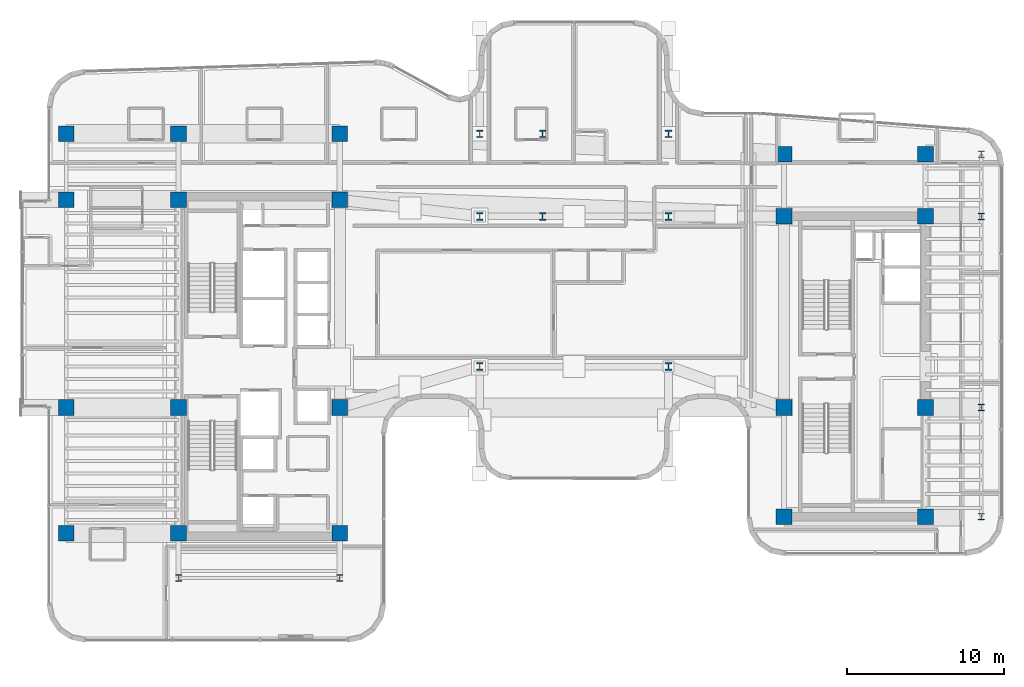
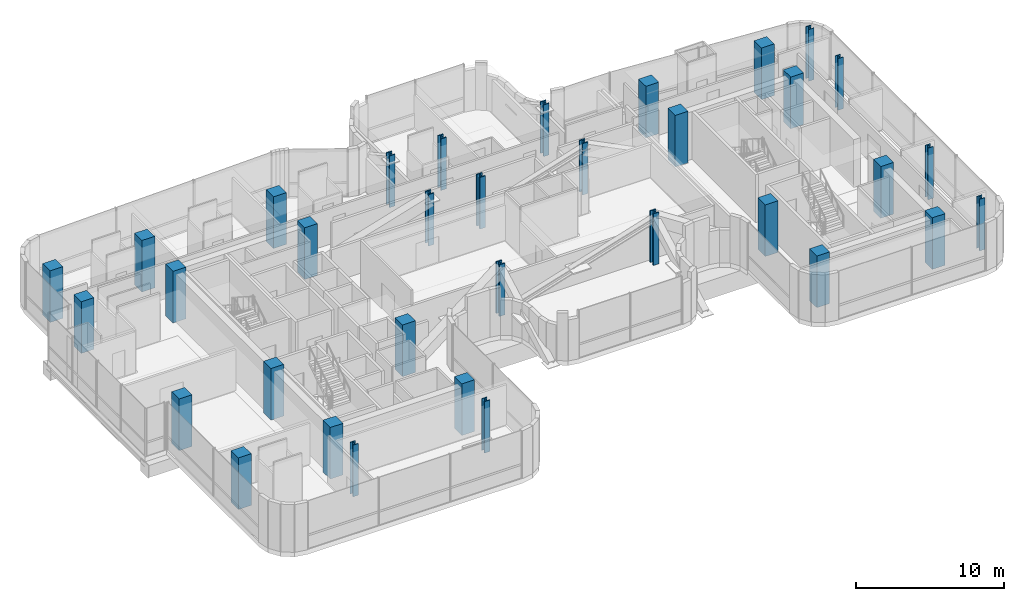
# One storey, part 1 of 37: 34 columns.
"""IFC4 building model written with IfcOpenShell, lengths in metres."""

from ifc_helpers import new_model, si_unit, direction, frame, origin, origin_2d, place, context, subcontext, project, spatial, rectangle, i_section, extrude, source, transform, mapped, material, material_profile, profile_set, type_object, element, save


model = new_model("IFC4")

# Units and contexts
model_context = context("Model", 3, precision=1e-05, world=origin(), true_north=direction((0.0, 1.0)))
body_context = subcontext(model_context, "Body", "Model", "MODEL_VIEW")
ifc_project = project(units=[si_unit("LENGTHUNIT", "METRE"), si_unit("AREAUNIT", "SQUARE_METRE"), si_unit("VOLUMEUNIT", "CUBIC_METRE"), si_unit("PLANEANGLEUNIT", "RADIAN"), si_unit("MASSUNIT", "GRAM", prefix="KILO")], contexts=[model_context])

# Site, building, storey
site_placement = place(None, origin())
site = spatial("IfcSite", under=ifc_project, at=site_placement, CompositionType="ELEMENT")
building_placement = place(site_placement, origin())
building = spatial("IfcBuilding", under=site, at=building_placement, Name="Valdorenza Pilgrim Sanctuary Tower", CompositionType="ELEMENT")
storey_placement = place(building_placement, frame((0.0, 0.0, 172.300048828125)))
storey = spatial("IfcBuildingStorey", under=building, at=storey_placement, Name="L44", CompositionType="ELEMENT", Elevation=172.300048828125)

# Columns
ifc_material_1 = material(Name="Concrete C50/60", Category="concrete")
ifc_material_profile_1 = material_profile(ifc_material_1, rectangle(XDim=1.0, YDim=1.0, at=origin_2d()), Name="RC 1000x1000")
ifc_profile_set_1 = profile_set([ifc_material_profile_1], Name="Concrete C50/60")
column_type_1 = type_object("IfcColumnType", Name="COL-Z3-1000", PredefinedType="COLUMN", material=ifc_profile_set_1)
shared_shape_1 = source(origin(), body_context, "Body", "SweptSolid", [
    extrude(rectangle(XDim=1.0, YDim=1.0, at=origin_2d()), origin(), (0.0, 0.0, 1.0), 4.25),
])
for number, where, z_axis, x_axis, name in (
    (1, (-29.800048828125, -10.60009765625, 0.0), (0.0, 0.0, 1.0), (1.0, 0.0, 0.0), "L44 Perimeter Column WA-W-S1"),
    (2, (-22.64990234375, -10.60009765625, 0.0), (0.0, 0.0, 1.0), (1.0, 0.0, 0.0), "L44 Column CA-W-S1"),
    (3, (-12.39990234375, -10.60009765625, 0.0), (0.0, 0.0, 1.0), (1.0, 0.0, 0.0), "L44 Column CA-E-S1"),
    (4, (-29.800048828125, -2.60009765625, 0.0), (0.0, 0.0, 1.0), (1.0, 0.0, 0.0), "L44 Perimeter Column WA-W-M0"),
    (5, (-22.64990234375, -2.60009765625, 0.0), (0.0, 0.0, 1.0), (1.0, 0.0, 0.0), "L44 Column CA-W-M0"),
    (6, (-12.39990234375, -2.60009765625, 0.0), (0.0, 0.0, 1.0), (1.0, 0.0, 0.0), "L44 Column CA-E-M0"),
    (7, (-29.800048828125, 10.60009765625, 0.0), (0.0, 0.0, 1.0), (1.0, 0.0, 0.0), "L44 Perimeter Column WA-W-N1"),
    (8, (-22.64990234375, 10.60009765625, 0.0), (0.0, 0.0, 1.0), (1.0, 0.0, 0.0), "L44 Column CA-W-N1"),
    (9, (-12.39990234375, 10.60009765625, 0.0), (0.0, 0.0, 1.0), (1.0, 0.0, 0.0), "L44 Column CA-E-N1"),
    (10, (-29.800048828125, 14.800048828125, 0.0), (0.0, 0.0, 1.0), (1.0, 0.0, 0.0), "L44 Perimeter Column WA-W-N2"),
    (11, (-22.64990234375, 14.800048828125, 0.0), (0.0, 0.0, 1.0), (1.0, 0.0, 0.0), "L44 Column CA-W-N2"),
    (12, (-12.39990234375, 14.800048828125, 0.0), (0.0, 0.0, 1.0), (1.0, 0.0, 0.0), "L44 Column CA-E-N2"),
    (13, (15.85009765625, -9.550048828125, 0.0), (0.0, 0.0, 1.0), (1.0, 0.0, 0.0), "L44 Column CB-W-S1"),
    (14, (24.85009765625, -9.550048828125, 0.0), (0.0, 0.0, 1.0), (1.0, 0.0, 0.0), "L44 Column CB-E-S1"),
    (15, (15.85009765625, -2.60009765625, 0.0), (0.0, 0.0, 1.0), (1.0, 0.0, 0.0), "L44 Column CB-W-M0"),
    (16, (24.85009765625, -2.60009765625, 0.0), (0.0, 0.0, 1.0), (1.0, 0.0, 0.0), "L44 Column CB-E-M0"),
    (17, (15.85009765625, 9.550048828125, 0.0), (0.0, 0.0, 1.0), (1.0, 0.0, 0.0), "L44 Column CB-W-N1"),
    (18, (24.85009765625, 9.550048828125, 0.0), (0.0, 0.0, 1.0), (1.0, 0.0, 0.0), "L44 Column CB-E-N1"),
    (19, (15.85009765625, 13.5, 0.0), (0.0, 0.0, 1.0), (1.0, 0.0, 0.0), "L44 Column CB-W-N2"),
    (20, (24.85009765625, 13.5, 0.0), (0.0, 0.0, 1.0), (1.0, 0.0, 0.0), "L44 Column CB-E-N2"),
):
    element("IfcColumn", number, at=place(storey_placement, frame(where, z_axis=z_axis, x_axis=x_axis)), inside=storey, type_object=column_type_1, Name=name, PredefinedType="COLUMN", context=body_context, shape_type="MappedRepresentation", body=[
        mapped(shared_shape_1, transform((0.0, 0.0, 0.0), x_axis=(1.0, 0.0, 0.0), y_axis=(0.0, 1.0, 0.0), z_axis=(0.0, 0.0, 1.0), scale=1.0)),
    ])
ifc_material_2 = material(Name="Steel ASTM A992 Grade 50", Category="steel")
ifc_material_profile_2 = material_profile(ifc_material_2, i_section(OverallWidth=0.412109375, OverallDepth=0.43505859375, WebThickness=0.035888671875, FlangeThickness=0.057373046875, at=origin_2d()), Name="W14X311")
ifc_profile_set_2 = profile_set([ifc_material_profile_2], Name="Steel ASTM A992 Grade 50")
column_type_2 = type_object("IfcColumnType", Name="COL-STL-W311", PredefinedType="COLUMN", material=ifc_profile_set_2)
shared_shape_2 = source(origin(), body_context, "Body", "SweptSolid", [
    extrude(i_section(OverallWidth=0.412109375, OverallDepth=0.43505859375, WebThickness=0.035888671875, FlangeThickness=0.057373046875, at=origin_2d()), origin(), (0.0, 0.0, 1.0), 4.25),
])
for number, where, z_axis, x_axis, name in (
    (21, (-22.64990234375, -13.449951171875, 0.0), (0.0, 0.0, 1.0), (1.0, 0.0, 0.0), "L44 Column WA-S-W"),
    (22, (-12.39990234375, -13.449951171875, 0.0), (0.0, 0.0, 1.0), (1.0, 0.0, 0.0), "L44 Column WA-S-E"),
    (23, (28.39990234375, -9.550048828125, 0.0), (0.0, 0.0, 1.0), (1.0, 0.0, 0.0), "L44 Perimeter Column WB-E-S1"),
    (24, (28.39990234375, -2.60009765625, 0.0), (0.0, 0.0, 1.0), (1.0, 0.0, 0.0), "L44 Perimeter Column WB-E-M0"),
    (25, (28.39990234375, 9.550048828125, 0.0), (0.0, 0.0, 1.0), (1.0, 0.0, 0.0), "L44 Perimeter Column WB-E-N1"),
    (26, (28.39990234375, 13.5, 0.0), (0.0, 0.0, 1.0), (1.0, 0.0, 0.0), "L44 Perimeter Column WB-E-N2"),
):
    element("IfcColumn", number, at=place(storey_placement, frame(where, z_axis=z_axis, x_axis=x_axis)), inside=storey, type_object=column_type_2, Name=name, PredefinedType="COLUMN", context=body_context, shape_type="MappedRepresentation", body=[
        mapped(shared_shape_2, transform((0.0, 0.0, 0.0), x_axis=(1.0, 0.0, 0.0), y_axis=(0.0, 1.0, 0.0), z_axis=(0.0, 0.0, 1.0), scale=1.0)),
    ])
ifc_material_profile_3 = material_profile(ifc_material_2, i_section(OverallWidth=0.431884765625, OverallDepth=0.498046875, WebThickness=0.0556640625, FlangeThickness=0.0888671875, at=origin_2d()), Name="W14X500")
ifc_profile_set_3 = profile_set([ifc_material_profile_3], Name="Steel ASTM A992 Grade 50")
column_type_3 = type_object("IfcColumnType", Name="COL-STL-W500", PredefinedType="COLUMN", material=ifc_profile_set_3)
shared_shape_3 = source(origin(), body_context, "Body", "SweptSolid", [
    extrude(i_section(OverallWidth=0.431884765625, OverallDepth=0.498046875, WebThickness=0.0556640625, FlangeThickness=0.0888671875, at=origin_2d()), origin(), (0.0, 0.0, 1.0), 4.25),
])
for number, where, z_axis, x_axis, name in (
    (27, (-3.5, 0.0, 0.0), (0.0, 0.0, 1.0), (1.0, 0.0, 0.0), "L44 Column PRY-W0"),
    (28, (-3.5, 9.550048828125, 0.0), (0.0, 0.0, 1.0), (1.0, 0.0, 0.0), "L44 Column PRY-W1"),
    (29, (-3.5, 14.800048828125, 0.0), (0.0, 0.0, 1.0), (1.0, 0.0, 0.0), "L44 Column PRY-W2"),
    (30, (8.5, 0.0, 0.0), (0.0, 0.0, 1.0), (1.0, 0.0, 0.0), "L44 Column PRY-E0"),
    (31, (8.5, 9.550048828125, 0.0), (0.0, 0.0, 1.0), (1.0, 0.0, 0.0), "L44 Column PRY-E1"),
    (32, (8.5, 14.800048828125, 0.0), (0.0, 0.0, 1.0), (1.0, 0.0, 0.0), "L44 Column PRY-E2"),
    (33, (0.5, 9.550048828125, 0.0), (0.0, 0.0, 1.0), (1.0, 0.0, 0.0), "L44 Column PRY-TB1"),
    (34, (0.5, 14.800048828125, 0.0), (0.0, 0.0, 1.0), (1.0, 0.0, 0.0), "L44 Column PRY-TB2"),
):
    element("IfcColumn", number, at=place(storey_placement, frame(where, z_axis=z_axis, x_axis=x_axis)), inside=storey, type_object=column_type_3, Name=name, PredefinedType="COLUMN", context=body_context, shape_type="MappedRepresentation", body=[
        mapped(shared_shape_3, transform((0.0, 0.0, 0.0), x_axis=(1.0, 0.0, 0.0), y_axis=(0.0, 1.0, 0.0), z_axis=(0.0, 0.0, 1.0), scale=1.0)),
    ])

save(model, "model.ifc")
